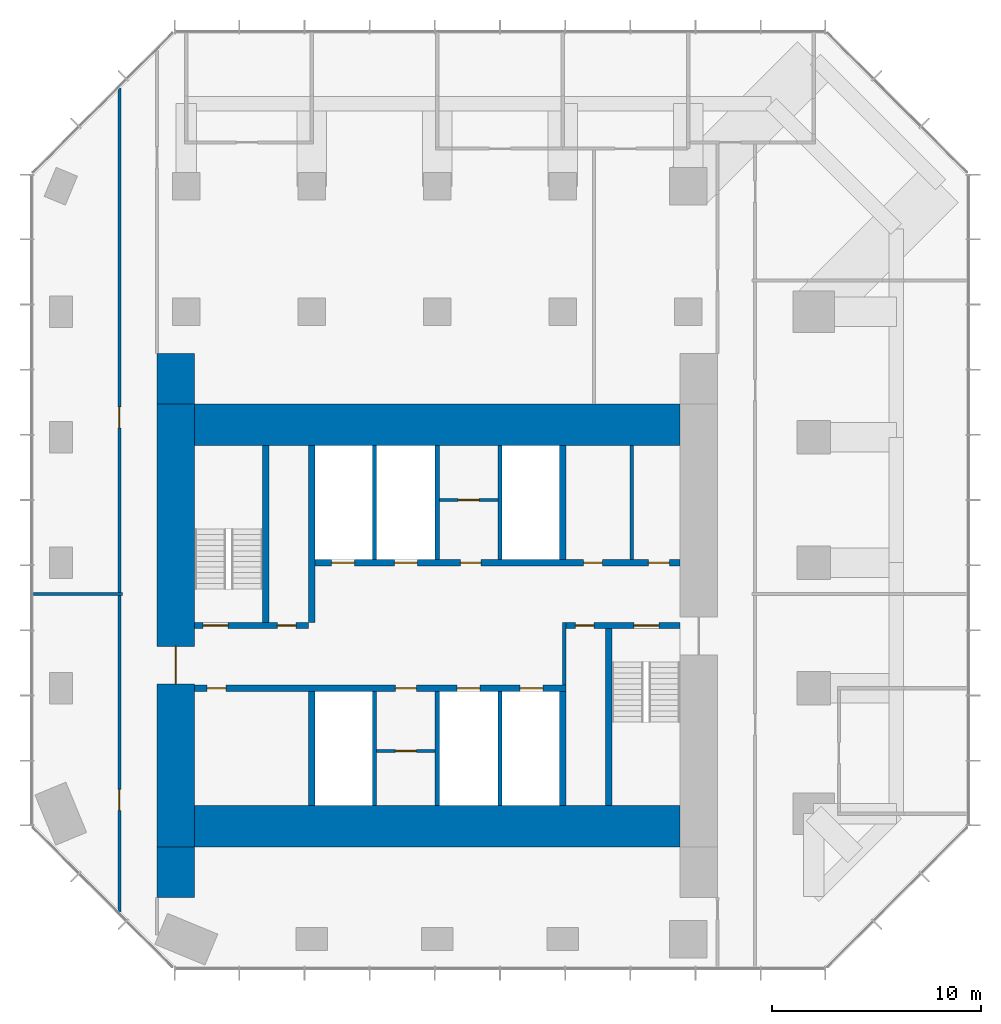
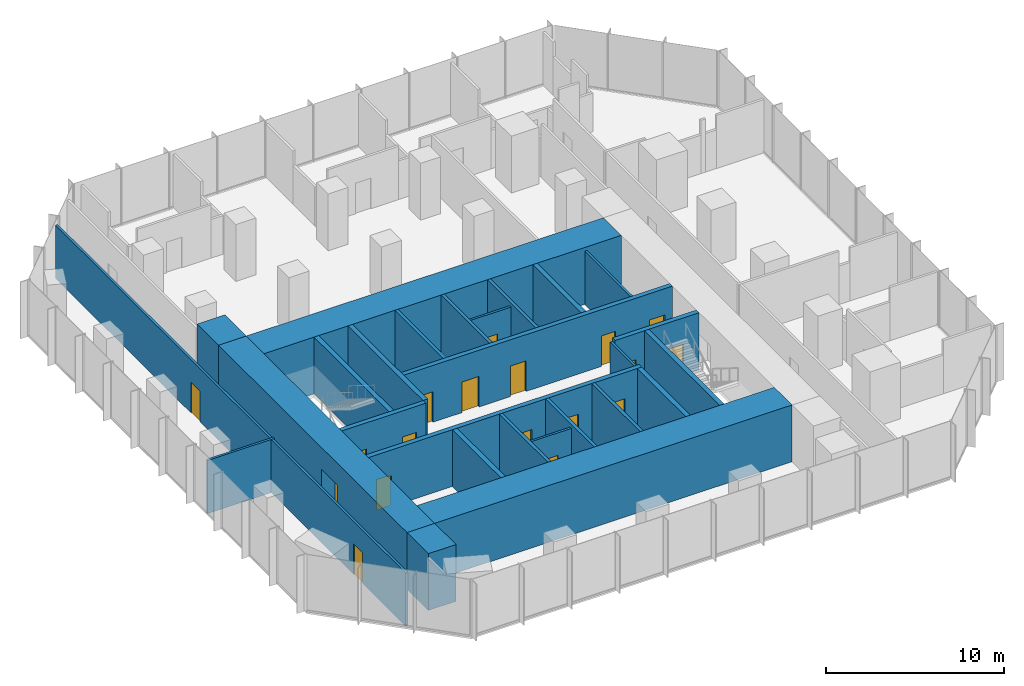
# One storey, part 8 of 11: 28 walls, 18 doors, 18 openings.
"""IFC4 building model written with IfcOpenShell, lengths in metres."""

from ifc_helpers import new_model, si_unit, direction, frame, frame_2d, origin, place, context, subcontext, project, spatial, rectangle, extrude, material, layer, layer_set, type_object, element, fill, save


model = new_model("IFC4")

# Units and contexts
model_context = context("Model", 3, precision=1e-05, world=origin(), true_north=direction((0.0, 1.0)))
body_context = subcontext(model_context, "Body", "Model", "MODEL_VIEW")
ifc_project = project(units=[si_unit("LENGTHUNIT", "METRE"), si_unit("AREAUNIT", "SQUARE_METRE"), si_unit("VOLUMEUNIT", "CUBIC_METRE"), si_unit("PLANEANGLEUNIT", "RADIAN"), si_unit("MASSUNIT", "GRAM", prefix="KILO")], contexts=[model_context])

# Site, building, storey
site_placement = place(None, origin())
site = spatial("IfcSite", under=ifc_project, at=site_placement, CompositionType="ELEMENT")
building_placement = place(site_placement, origin())
building = spatial("IfcBuilding", under=site, at=building_placement, Name="Highveld Stack Headquarters", CompositionType="ELEMENT")
storey_placement = place(building_placement, frame((0.0, 0.0, 177.199951171875)))
storey = spatial("IfcBuildingStorey", under=building, at=storey_placement, Name="L43", CompositionType="ELEMENT", Elevation=177.199951171875)

# Wall, opening, door
ifc_material_1 = material(Name="Concrete C60/75", Category="concrete")
ifc_layer_1 = layer(ifc_material_1, 1.800048828125)
ifc_layer_set_1 = layer_set([ifc_layer_1], Name="Concrete C60/75")
wall_type_1 = type_object("IfcWallType", Name="CORE WALL 1800 C60/75", PredefinedType="SHEAR", material=ifc_layer_set_1)
wall_1_placement = place(storey_placement, frame((-6.5, -7.60009765625, 0.0), z_axis=(0.0, 0.0, 1.0), x_axis=(0.0, 1.0, 0.0)))
wall_1 = element("IfcWall", 1, at=wall_1_placement, inside=storey, type_object=wall_type_1, Name="Core wall W L43", PredefinedType="SHEAR", context=body_context, shape_type="SweptSolid", body=[
    extrude(rectangle(XDim=21.2001953125, YDim=1.800048828125, at=frame_2d((10.60009765625, 0.0))), origin(), (0.0, 0.0, 1.0), 3.900146484375),
])
opening_1_placement = place(wall_1_placement, frame((7.800048828125, 0.0, 0.0)))
opening_1 = element("IfcOpeningElement", 2, at=opening_1_placement, cuts=wall_1, Name="Opening L43-01", PredefinedType="OPENING", context=body_context, shape_type="SweptSolid", body=[
    extrude(rectangle(XDim=1.800048828125, YDim=2.39990234375, at=frame_2d((0.89990234375, 1.199951171875))), frame((0.0, 0.909912109375, 0.0), z_axis=(0.0, -1.0, 0.0), x_axis=(1.0, 0.0, 0.0)), (0.0, 0.0, 1.0), 1.820068359375),
])
ifc_material_2 = material(Name="Steel fire door", Category="steel")
door_type_1 = type_object("IfcDoorType", Name="LOBBY FIRE DOOR D4 1800x2400", OperationType="DOUBLE_DOOR_SINGLE_SWING", PredefinedType="DOOR", material=ifc_material_2)
door_1_placement = place(opening_1_placement, origin())
door_1 = element("IfcDoor", 3, at=door_1_placement, inside=storey, type_object=door_type_1, Name="Core west door L43", OperationType="DOUBLE_DOOR_SINGLE_SWING", OverallHeight=2.39990234375, OverallWidth=1.800048828125, PredefinedType="DOOR", context=body_context, shape_type="SweptSolid", body=[
    extrude(rectangle(XDim=1.800048828125, YDim=2.39990234375, at=frame_2d((0.89990234375, 1.199951171875))), frame((0.0, 0.02490234375, 0.0), z_axis=(0.0, -1.0, 0.0), x_axis=(1.0, 0.0, 0.0)), (0.0, 0.0, 1.0), 0.050048828125),
])
fill(opening_1, door_1)

# Walls
ifc_material_3 = material(Name="Concrete C60/75", Category="concrete")
ifc_layer_2 = layer(ifc_material_3, 2.0)
ifc_layer_set_2 = layer_set([ifc_layer_2], Name="Concrete C60/75")
wall_type_2 = type_object("IfcWallType", Name="CORE WALL 2000 C60/75", PredefinedType="SHEAR", material=ifc_layer_set_2)
for number, where, z_axis, x_axis, name in (
    (4, (-5.60009765625, -6.60009765625, 0.0), (0.0, 0.0, 1.0), (1.0, 0.0, 0.0), "Core wall S L43"),
    (5, (-5.60009765625, 12.60009765625, 0.0), (0.0, 0.0, 1.0), (1.0, 0.0, 0.0), "Core wall N L43"),
):
    element("IfcWall", number, at=place(storey_placement, frame(where, z_axis=z_axis, x_axis=x_axis)), inside=storey, type_object=wall_type_2, Name=name, PredefinedType="SHEAR", context=body_context, shape_type="SweptSolid", body=[
        extrude(rectangle(XDim=23.2001953125, YDim=2.0, at=frame_2d((11.60009765625, 0.0))), origin(), (0.0, 0.0, 1.0), 3.900146484375),
    ])

# Wall, openings, doors
ifc_material_4 = material(Name="Concrete C60/75", Category="concrete")
ifc_layer_3 = layer(ifc_material_4, 0.300048828125)
ifc_layer_set_3 = layer_set([ifc_layer_3], Name="Concrete C60/75")
wall_type_3 = type_object("IfcWallType", Name="CORE WALL 300 C60/75", PredefinedType="SHEAR", material=ifc_layer_set_3)
wall_2_placement = place(storey_placement, frame((-5.60009765625, 0.0, 0.0), z_axis=(0.0, 0.0, 1.0), x_axis=(1.0, 0.0, 0.0)))
wall_2 = element("IfcWall", 6, at=wall_2_placement, inside=storey, type_object=wall_type_3, Name="Core wall I-Y0 L43", PredefinedType="SHEAR", context=body_context, shape_type="SweptSolid", body=[
    extrude(rectangle(XDim=17.75, YDim=0.300048828125, at=frame_2d((8.875, 0.0))), origin(), (0.0, 0.0, 1.0), 3.900146484375),
])
opening_2_placement = place(wall_2_placement, frame((0.60009765625, 0.0, 0.0)))
opening_2 = element("IfcOpeningElement", 7, at=opening_2_placement, cuts=wall_2, Name="Opening L43-07", PredefinedType="OPENING", context=body_context, shape_type="SweptSolid", body=[
    extrude(rectangle(XDim=0.89990234375, YDim=2.10009765625, at=frame_2d((0.449951171875, 1.050048828125))), frame((0.0, 0.159912109375, 0.0), z_axis=(0.0, -1.0, 0.0), x_axis=(1.0, 0.0, 0.0)), (0.0, 0.0, 1.0), 0.320068359375),
])
opening_3_placement = place(wall_2_placement, frame((9.60009765625, 0.0, 0.0)))
opening_3 = element("IfcOpeningElement", 8, at=opening_3_placement, cuts=wall_2, Name="Opening L43-13", PredefinedType="OPENING", context=body_context, shape_type="SweptSolid", body=[
    extrude(rectangle(XDim=1.0, YDim=2.10009765625, at=frame_2d((0.5, 1.050048828125))), frame((0.0, 0.159912109375, 0.0), z_axis=(0.0, -1.0, 0.0), x_axis=(1.0, 0.0, 0.0)), (0.0, 0.0, 1.0), 0.320068359375),
])
opening_4_placement = place(wall_2_placement, frame((12.550048828125, 0.0, 0.0)))
opening_4 = element("IfcOpeningElement", 9, at=opening_4_placement, cuts=wall_2, Name="Opening LD", PredefinedType="OPENING", context=body_context, shape_type="SweptSolid", body=[
    extrude(rectangle(XDim=1.10009765625, YDim=2.10009765625, at=frame_2d((0.550048828125, 1.050048828125))), frame((0.0, 0.159912109375, 0.0), z_axis=(0.0, -1.0, 0.0), x_axis=(1.0, 0.0, 0.0)), (0.0, 0.0, 1.0), 0.320068359375),
])
opening_5_placement = place(wall_2_placement, frame((15.550048828125, 0.0, 0.0)))
opening_5 = element("IfcOpeningElement", 10, at=opening_5_placement, cuts=wall_2, Name="Opening LD", PredefinedType="OPENING", context=body_context, shape_type="SweptSolid", body=[
    extrude(rectangle(XDim=1.10009765625, YDim=2.10009765625, at=frame_2d((0.550048828125, 1.050048828125))), frame((0.0, 0.159912109375, 0.0), z_axis=(0.0, -1.0, 0.0), x_axis=(1.0, 0.0, 0.0)), (0.0, 0.0, 1.0), 0.320068359375),
])
ifc_material_5 = material(Name="Steel fire door", Category="steel")
door_type_2 = type_object("IfcDoorType", Name="CORE ROOM FIRE DOOR D14 1000x2100", OperationType="SINGLE_SWING_LEFT", PredefinedType="DOOR", material=ifc_material_5)
door_2_placement = place(opening_3_placement, origin())
door_2 = element("IfcDoor", 11, at=door_2_placement, inside=storey, type_object=door_type_2, Name="Capped B 1 door L43", OperationType="SINGLE_SWING_RIGHT", OverallHeight=2.10009765625, OverallWidth=1.0, PredefinedType="DOOR", context=body_context, shape_type="SweptSolid", body=[
    extrude(rectangle(XDim=1.0, YDim=2.10009765625, at=frame_2d((0.5, 1.050048828125))), frame((0.0, 0.02490234375, 0.0), z_axis=(0.0, -1.0, 0.0), x_axis=(1.0, 0.0, 0.0)), (0.0, 0.0, 1.0), 0.050048828125),
])
fill(opening_3, door_2)
ifc_material_6 = material(Name="Stainless steel lift landing door", Category="steel")
door_type_3 = type_object("IfcDoorType", Name="LIFT LANDING DOOR LD 1100x2100", OperationType="DOUBLE_DOOR_SLIDING", PredefinedType="USERDEFINED", material=ifc_material_6)
door_3_placement = place(opening_4_placement, origin())
door_3 = element("IfcDoor", 12, at=door_3_placement, inside=storey, type_object=door_type_3, Name="Lift landing door C1 L43", ObjectType="LIFT LANDING DOOR", OperationType="DOUBLE_DOOR_SLIDING", OverallHeight=2.10009765625, OverallWidth=1.10009765625, PredefinedType="USERDEFINED", context=body_context, shape_type="SweptSolid", body=[
    extrude(rectangle(XDim=1.10009765625, YDim=2.10009765625, at=frame_2d((0.550048828125, 1.050048828125))), frame((0.0, 0.02490234375, 0.0), z_axis=(0.0, -1.0, 0.0), x_axis=(1.0, 0.0, 0.0)), (0.0, 0.0, 1.0), 0.050048828125),
])
fill(opening_4, door_3)
door_4_placement = place(opening_5_placement, origin())
door_4 = element("IfcDoor", 13, at=door_4_placement, inside=storey, type_object=door_type_3, Name="Lift landing door C2 L43", ObjectType="LIFT LANDING DOOR", OperationType="DOUBLE_DOOR_SLIDING", OverallHeight=2.10009765625, OverallWidth=1.10009765625, PredefinedType="USERDEFINED", context=body_context, shape_type="SweptSolid", body=[
    extrude(rectangle(XDim=1.10009765625, YDim=2.10009765625, at=frame_2d((0.550048828125, 1.050048828125))), frame((0.0, 0.02490234375, 0.0), z_axis=(0.0, -1.0, 0.0), x_axis=(1.0, 0.0, 0.0)), (0.0, 0.0, 1.0), 0.050048828125),
])
fill(opening_5, door_4)
ifc_material_7 = material(Name="Timber door, painted", Category="wood")
door_type_4 = type_object("IfcDoorType", Name="WC DOOR D1 900x2100", OperationType="SINGLE_SWING_LEFT", PredefinedType="DOOR", material=ifc_material_7)
door_5_placement = place(opening_2_placement, origin())
door_5 = element("IfcDoor", 14, at=door_5_placement, inside=storey, type_object=door_type_4, Name="Female WC door L43", OperationType="SINGLE_SWING_LEFT", OverallHeight=2.10009765625, OverallWidth=0.89990234375, PredefinedType="DOOR", context=body_context, shape_type="SweptSolid", body=[
    extrude(rectangle(XDim=0.89990234375, YDim=2.10009765625, at=frame_2d((0.449951171875, 1.050048828125))), frame((0.0, 0.02490234375, 0.0), z_axis=(0.0, -1.0, 0.0), x_axis=(1.0, 0.0, 0.0)), (0.0, 0.0, 1.0), 0.050048828125),
])
fill(opening_2, door_5)

wall_3_placement = place(storey_placement, frame((-5.60009765625, 3.0, 0.0), z_axis=(0.0, 0.0, 1.0), x_axis=(1.0, 0.0, 0.0)))
wall_3 = element("IfcWall", 15, at=wall_3_placement, inside=storey, type_object=wall_type_3, Name="Core wall I-Y3W L43", PredefinedType="SHEAR", context=body_context, shape_type="SweptSolid", body=[
    extrude(rectangle(XDim=5.4501953125, YDim=0.300048828125, at=frame_2d((2.72509765625, 0.0))), origin(), (0.0, 0.0, 1.0), 3.900146484375),
])
opening_6_placement = place(wall_3_placement, frame((0.39990234375, 0.0, 0.0)))
opening_6 = element("IfcOpeningElement", 16, at=opening_6_placement, cuts=wall_3, Name="Opening L43-03", PredefinedType="OPENING", context=body_context, shape_type="SweptSolid", body=[
    extrude(rectangle(XDim=1.199951171875, YDim=2.10009765625, at=frame_2d((0.60009765625, 1.050048828125))), frame((0.0, 0.159912109375, 0.0), z_axis=(0.0, -1.0, 0.0), x_axis=(1.0, 0.0, 0.0)), (0.0, 0.0, 1.0), 0.320068359375),
])
opening_7_placement = place(wall_3_placement, frame((3.949951171875, 0.0, 0.0)))
opening_7 = element("IfcOpeningElement", 17, at=opening_7_placement, cuts=wall_3, Name="Opening L43-04", PredefinedType="OPENING", context=body_context, shape_type="SweptSolid", body=[
    extrude(rectangle(XDim=0.89990234375, YDim=2.10009765625, at=frame_2d((0.449951171875, 1.050048828125))), frame((0.0, 0.159912109375, 0.0), z_axis=(0.0, -1.0, 0.0), x_axis=(1.0, 0.0, 0.0)), (0.0, 0.0, 1.0), 0.320068359375),
])
ifc_material_8 = material(Name="Steel fire door", Category="steel")
door_type_5 = type_object("IfcDoorType", Name="RISER ACCESS DOOR D5 900x2100", OperationType="SINGLE_SWING_LEFT", PredefinedType="DOOR", material=ifc_material_8)
door_6_placement = place(opening_7_placement, origin())
door_6 = element("IfcDoor", 18, at=door_6_placement, inside=storey, type_object=door_type_5, Name="Riser R1 door L43", OperationType="SINGLE_SWING_RIGHT", OverallHeight=2.10009765625, OverallWidth=0.89990234375, PredefinedType="DOOR", context=body_context, shape_type="SweptSolid", body=[
    extrude(rectangle(XDim=0.89990234375, YDim=2.10009765625, at=frame_2d((0.449951171875, 1.050048828125))), frame((0.0, 0.02490234375, 0.0), z_axis=(0.0, -1.0, 0.0), x_axis=(1.0, 0.0, 0.0)), (0.0, 0.0, 1.0), 0.050048828125),
])
fill(opening_7, door_6)
ifc_material_9 = material(Name="Steel fire door", Category="steel")
door_type_6 = type_object("IfcDoorType", Name="STAIR FIRE DOOR D3 1200x2100", OperationType="SINGLE_SWING_LEFT", PredefinedType="DOOR", material=ifc_material_9)
door_7_placement = place(opening_6_placement, origin())
door_7 = element("IfcDoor", 19, at=door_7_placement, inside=storey, type_object=door_type_6, Name="Stair S1 door L43", OperationType="SINGLE_SWING_LEFT", OverallHeight=2.10009765625, OverallWidth=1.199951171875, PredefinedType="DOOR", context=body_context, shape_type="SweptSolid", body=[
    extrude(rectangle(XDim=1.199951171875, YDim=2.10009765625, at=frame_2d((0.60009765625, 1.050048828125))), frame((0.0, 0.02490234375, 0.0), z_axis=(0.0, -1.0, 0.0), x_axis=(1.0, 0.0, 0.0)), (0.0, 0.0, 1.0), 0.050048828125),
])
fill(opening_6, door_7)

wall_4_placement = place(storey_placement, frame((12.14990234375, 3.0, 0.0), z_axis=(0.0, 0.0, 1.0), x_axis=(1.0, 0.0, 0.0)))
wall_4 = element("IfcWall", 20, at=wall_4_placement, inside=storey, type_object=wall_type_3, Name="Core wall I-Y3E L43", PredefinedType="SHEAR", context=body_context, shape_type="SweptSolid", body=[
    extrude(rectangle(XDim=5.4501953125, YDim=0.300048828125, at=frame_2d((2.72509765625, 0.0))), origin(), (0.0, 0.0, 1.0), 3.900146484375),
])
opening_8_placement = place(wall_4_placement, frame((3.25, 0.0, 0.0)))
opening_8 = element("IfcOpeningElement", 21, at=opening_8_placement, cuts=wall_4, Name="Opening L43-05", PredefinedType="OPENING", context=body_context, shape_type="SweptSolid", body=[
    extrude(rectangle(XDim=1.199951171875, YDim=2.10009765625, at=frame_2d((0.60009765625, 1.050048828125))), frame((0.0, 0.159912109375, 0.0), z_axis=(0.0, -1.0, 0.0), x_axis=(1.0, 0.0, 0.0)), (0.0, 0.0, 1.0), 0.320068359375),
])
opening_9_placement = place(wall_4_placement, frame((0.449951171875, 0.0, 0.0)))
opening_9 = element("IfcOpeningElement", 22, at=opening_9_placement, cuts=wall_4, Name="Opening L43-06", PredefinedType="OPENING", context=body_context, shape_type="SweptSolid", body=[
    extrude(rectangle(XDim=0.89990234375, YDim=2.10009765625, at=frame_2d((0.449951171875, 1.050048828125))), frame((0.0, 0.159912109375, 0.0), z_axis=(0.0, -1.0, 0.0), x_axis=(1.0, 0.0, 0.0)), (0.0, 0.0, 1.0), 0.320068359375),
])
door_8_placement = place(opening_9_placement, origin())
door_8 = element("IfcDoor", 23, at=door_8_placement, inside=storey, type_object=door_type_5, Name="Riser R2 door L43", OperationType="SINGLE_SWING_LEFT", OverallHeight=2.10009765625, OverallWidth=0.89990234375, PredefinedType="DOOR", context=body_context, shape_type="SweptSolid", body=[
    extrude(rectangle(XDim=0.89990234375, YDim=2.10009765625, at=frame_2d((0.449951171875, 1.050048828125))), frame((0.0, 0.02490234375, 0.0), z_axis=(0.0, -1.0, 0.0), x_axis=(1.0, 0.0, 0.0)), (0.0, 0.0, 1.0), 0.050048828125),
])
fill(opening_9, door_8)
door_9_placement = place(opening_8_placement, origin())
door_9 = element("IfcDoor", 24, at=door_9_placement, inside=storey, type_object=door_type_6, Name="Stair S2 door L43", OperationType="SINGLE_SWING_RIGHT", OverallHeight=2.10009765625, OverallWidth=1.199951171875, PredefinedType="DOOR", context=body_context, shape_type="SweptSolid", body=[
    extrude(rectangle(XDim=1.199951171875, YDim=2.10009765625, at=frame_2d((0.60009765625, 1.050048828125))), frame((0.0, 0.02490234375, 0.0), z_axis=(0.0, -1.0, 0.0), x_axis=(1.0, 0.0, 0.0)), (0.0, 0.0, 1.0), 0.050048828125),
])
fill(opening_8, door_9)

wall_5_placement = place(storey_placement, frame((-0.14990234375, 6.0, 0.0), z_axis=(0.0, 0.0, 1.0), x_axis=(1.0, 0.0, 0.0)))
wall_5 = element("IfcWall", 25, at=wall_5_placement, inside=storey, type_object=wall_type_3, Name="Core wall I-Y6 L43", PredefinedType="SHEAR", context=body_context, shape_type="SweptSolid", body=[
    extrude(rectangle(XDim=17.75, YDim=0.300048828125, at=frame_2d((8.875, 0.0))), origin(), (0.0, 0.0, 1.0), 3.900146484375),
])
opening_10_placement = place(wall_5_placement, frame((13.14990234375, 0.0, 0.0)))
opening_10 = element("IfcOpeningElement", 26, at=opening_10_placement, cuts=wall_5, Name="Opening L43-08", PredefinedType="OPENING", context=body_context, shape_type="SweptSolid", body=[
    extrude(rectangle(XDim=0.89990234375, YDim=2.10009765625, at=frame_2d((0.449951171875, 1.050048828125))), frame((0.0, 0.159912109375, 0.0), z_axis=(0.0, -1.0, 0.0), x_axis=(1.0, 0.0, 0.0)), (0.0, 0.0, 1.0), 0.320068359375),
])
opening_11_placement = place(wall_5_placement, frame((16.25, 0.0, 0.0)))
opening_11 = element("IfcOpeningElement", 27, at=opening_11_placement, cuts=wall_5, Name="Opening L43-09", PredefinedType="OPENING", context=body_context, shape_type="SweptSolid", body=[
    extrude(rectangle(XDim=1.0, YDim=2.10009765625, at=frame_2d((0.5, 1.050048828125))), frame((0.0, 0.159912109375, 0.0), z_axis=(0.0, -1.0, 0.0), x_axis=(1.0, 0.0, 0.0)), (0.0, 0.0, 1.0), 0.320068359375),
])
opening_12_placement = place(wall_5_placement, frame((7.25, 0.0, 0.0)))
opening_12 = element("IfcOpeningElement", 28, at=opening_12_placement, cuts=wall_5, Name="Opening L43-11", PredefinedType="OPENING", context=body_context, shape_type="SweptSolid", body=[
    extrude(rectangle(XDim=1.0, YDim=2.10009765625, at=frame_2d((0.5, 1.050048828125))), frame((0.0, 0.159912109375, 0.0), z_axis=(0.0, -1.0, 0.0), x_axis=(1.0, 0.0, 0.0)), (0.0, 0.0, 1.0), 0.320068359375),
])
opening_13_placement = place(wall_5_placement, frame((1.10009765625, 0.0, 0.0)))
opening_13 = element("IfcOpeningElement", 29, at=opening_13_placement, cuts=wall_5, Name="Opening LD", PredefinedType="OPENING", context=body_context, shape_type="SweptSolid", body=[
    extrude(rectangle(XDim=1.10009765625, YDim=2.10009765625, at=frame_2d((0.550048828125, 1.050048828125))), frame((0.0, 0.159912109375, 0.0), z_axis=(0.0, -1.0, 0.0), x_axis=(1.0, 0.0, 0.0)), (0.0, 0.0, 1.0), 0.320068359375),
])
opening_14_placement = place(wall_5_placement, frame((4.10009765625, 0.0, 0.0)))
opening_14 = element("IfcOpeningElement", 30, at=opening_14_placement, cuts=wall_5, Name="Opening LD", PredefinedType="OPENING", context=body_context, shape_type="SweptSolid", body=[
    extrude(rectangle(XDim=1.10009765625, YDim=2.10009765625, at=frame_2d((0.550048828125, 1.050048828125))), frame((0.0, 0.159912109375, 0.0), z_axis=(0.0, -1.0, 0.0), x_axis=(1.0, 0.0, 0.0)), (0.0, 0.0, 1.0), 0.320068359375),
])
ifc_material_10 = material(Name="Timber door, painted", Category="wood")
door_type_7 = type_object("IfcDoorType", Name="ACCESSIBLE WC DOOR D2 1000x2100", OperationType="SINGLE_SWING_RIGHT", PredefinedType="DOOR", material=ifc_material_10)
door_10_placement = place(opening_11_placement, origin())
door_10 = element("IfcDoor", 31, at=door_10_placement, inside=storey, type_object=door_type_7, Name="Accessible WC door L43", OperationType="SINGLE_SWING_RIGHT", OverallHeight=2.10009765625, OverallWidth=1.0, PredefinedType="DOOR", context=body_context, shape_type="SweptSolid", body=[
    extrude(rectangle(XDim=1.0, YDim=2.10009765625, at=frame_2d((0.5, 1.050048828125))), frame((0.0, 0.02490234375, 0.0), z_axis=(0.0, -1.0, 0.0), x_axis=(1.0, 0.0, 0.0)), (0.0, 0.0, 1.0), 0.050048828125),
])
fill(opening_11, door_10)
door_11_placement = place(opening_12_placement, origin())
door_11 = element("IfcDoor", 32, at=door_11_placement, inside=storey, type_object=door_type_2, Name="Capped A 1 door L43", OperationType="SINGLE_SWING_LEFT", OverallHeight=2.10009765625, OverallWidth=1.0, PredefinedType="DOOR", context=body_context, shape_type="SweptSolid", body=[
    extrude(rectangle(XDim=1.0, YDim=2.10009765625, at=frame_2d((0.5, 1.050048828125))), frame((0.0, 0.02490234375, 0.0), z_axis=(0.0, -1.0, 0.0), x_axis=(1.0, 0.0, 0.0)), (0.0, 0.0, 1.0), 0.050048828125),
])
fill(opening_12, door_11)
door_12_placement = place(opening_13_placement, origin())
door_12 = element("IfcDoor", 33, at=door_12_placement, inside=storey, type_object=door_type_3, Name="Lift landing door FF1 L43", ObjectType="LIFT LANDING DOOR", OperationType="DOUBLE_DOOR_SLIDING", OverallHeight=2.10009765625, OverallWidth=1.10009765625, PredefinedType="USERDEFINED", context=body_context, shape_type="SweptSolid", body=[
    extrude(rectangle(XDim=1.10009765625, YDim=2.10009765625, at=frame_2d((0.550048828125, 1.050048828125))), frame((0.0, 0.02490234375, 0.0), z_axis=(0.0, -1.0, 0.0), x_axis=(1.0, 0.0, 0.0)), (0.0, 0.0, 1.0), 0.050048828125),
])
fill(opening_13, door_12)
door_13_placement = place(opening_14_placement, origin())
door_13 = element("IfcDoor", 34, at=door_13_placement, inside=storey, type_object=door_type_3, Name="Lift landing door FF2 L43", ObjectType="LIFT LANDING DOOR", OperationType="DOUBLE_DOOR_SLIDING", OverallHeight=2.10009765625, OverallWidth=1.10009765625, PredefinedType="USERDEFINED", context=body_context, shape_type="SweptSolid", body=[
    extrude(rectangle(XDim=1.10009765625, YDim=2.10009765625, at=frame_2d((0.550048828125, 1.050048828125))), frame((0.0, 0.02490234375, 0.0), z_axis=(0.0, -1.0, 0.0), x_axis=(1.0, 0.0, 0.0)), (0.0, 0.0, 1.0), 0.050048828125),
])
fill(opening_14, door_13)
door_14_placement = place(opening_10_placement, origin())
door_14 = element("IfcDoor", 35, at=door_14_placement, inside=storey, type_object=door_type_4, Name="Male WC door L43", OperationType="SINGLE_SWING_RIGHT", OverallHeight=2.10009765625, OverallWidth=0.89990234375, PredefinedType="DOOR", context=body_context, shape_type="SweptSolid", body=[
    extrude(rectangle(XDim=0.89990234375, YDim=2.10009765625, at=frame_2d((0.449951171875, 1.050048828125))), frame((0.0, 0.02490234375, 0.0), z_axis=(0.0, -1.0, 0.0), x_axis=(1.0, 0.0, 0.0)), (0.0, 0.0, 1.0), 0.050048828125),
])
fill(opening_10, door_14)

# Walls
wall_6_placement = place(storey_placement, frame((0.0, -5.60009765625, 0.0), z_axis=(0.0, 0.0, 1.0), x_axis=(0.0, 1.0, 0.0)))
element("IfcWall", 36, at=wall_6_placement, inside=storey, type_object=wall_type_3, Name="Core wall I-X0S L43", PredefinedType="SHEAR", context=body_context, shape_type="SweptSolid", body=[
    extrude(rectangle(XDim=5.4501953125, YDim=0.300048828125, at=frame_2d((2.72509765625, 0.0))), origin(), (0.0, 0.0, 1.0), 3.900146484375),
])
wall_7_placement = place(storey_placement, frame((0.0, 3.14990234375, 0.0), z_axis=(0.0, 0.0, 1.0), x_axis=(0.0, 1.0, 0.0)))
element("IfcWall", 37, at=wall_7_placement, inside=storey, type_object=wall_type_3, Name="Core wall I-X0N L43", PredefinedType="SHEAR", context=body_context, shape_type="SweptSolid", body=[
    extrude(rectangle(XDim=8.4501953125, YDim=0.300048828125, at=frame_2d((4.22509765625, 0.0))), origin(), (0.0, 0.0, 1.0), 3.900146484375),
])
for number, where, z_axis, x_axis, name in (
    (38, (12.0, -5.60009765625, 0.0), (0.0, 0.0, 1.0), (0.0, 1.0, 0.0), "Core wall I-X12S L43"),
    (39, (12.0, 6.14990234375, 0.0), (0.0, 0.0, 1.0), (0.0, 1.0, 0.0), "Core wall I-X12N L43"),
):
    element("IfcWall", number, at=place(storey_placement, frame(where, z_axis=z_axis, x_axis=x_axis)), inside=storey, type_object=wall_type_3, Name=name, PredefinedType="SHEAR", context=body_context, shape_type="SweptSolid", body=[
        extrude(rectangle(XDim=5.4501953125, YDim=0.300048828125, at=frame_2d((2.72509765625, 0.0))), origin(), (0.0, 0.0, 1.0), 3.900146484375),
    ])
for number, where, z_axis, x_axis, name in (
    (40, (-2.199951171875, 3.14990234375, 0.0), (0.0, 0.0, 1.0), (0.0, 1.0, 0.0), "Core wall I-RW L43"),
    (41, (14.199951171875, -5.60009765625, 0.0), (0.0, 0.0, 1.0), (0.0, 1.0, 0.0), "Core wall I-RE L43"),
):
    element("IfcWall", number, at=place(storey_placement, frame(where, z_axis=z_axis, x_axis=x_axis)), inside=storey, type_object=wall_type_3, Name=name, PredefinedType="SHEAR", context=body_context, shape_type="SweptSolid", body=[
        extrude(rectangle(XDim=8.4501953125, YDim=0.300048828125, at=frame_2d((4.22509765625, 0.0))), origin(), (0.0, 0.0, 1.0), 3.900146484375),
    ])
ifc_material_11 = material(Name="Concrete C60/75", Category="concrete")
ifc_layer_4 = layer(ifc_material_11, 1.800048828125)
ifc_layer_set_4 = layer_set([ifc_layer_4], Name="Concrete C60/75")
wall_type_4 = type_object("IfcWallType", Name="CORE WING WALL 1800 C60/75", PredefinedType="SHEAR", material=ifc_layer_set_4)
for number, where, z_axis, x_axis, name in (
    (42, (-6.5, -10.0, 0.0), (0.0, 0.0, 1.0), (0.0, 1.0, 0.0), "Core wing wall WS L43"),
    (43, (-6.5, 13.60009765625, 0.0), (0.0, 0.0, 1.0), (0.0, 1.0, 0.0), "Core wing wall WN L43"),
):
    element("IfcWall", number, at=place(storey_placement, frame(where, z_axis=z_axis, x_axis=x_axis)), inside=storey, type_object=wall_type_4, Name=name, PredefinedType="SHEAR", context=body_context, shape_type="SweptSolid", body=[
        extrude(rectangle(XDim=2.39990234375, YDim=1.800048828125, at=frame_2d((1.199951171875, 0.0))), origin(), (0.0, 0.0, 1.0), 3.900146484375),
    ])

# Wall, opening, door
ifc_material_12 = material(Name="Concrete blockwork, plastered", Category="masonry")
ifc_layer_5 = layer(ifc_material_12, 0.14990234375)
ifc_layer_set_5 = layer_set([ifc_layer_5], Name="Concrete blockwork, plastered")
wall_type_5 = type_object("IfcWallType", Name="FIRE PARTITION 150 BLOCKWORK", PredefinedType="PARTITIONING", material=ifc_layer_set_5)
wall_8_placement = place(storey_placement, frame((6.10009765625, 9.0, 0.0), z_axis=(0.0, 0.0, 1.0), x_axis=(1.0, 0.0, 0.0)))
wall_8 = element("IfcWall", 44, at=wall_8_placement, inside=storey, type_object=wall_type_5, Name="Core room partition L43", PredefinedType="PARTITIONING", context=body_context, shape_type="SweptSolid", body=[
    extrude(rectangle(XDim=2.7998046875, YDim=0.14990234375, at=frame_2d((1.39990234375, 0.0))), origin(), (0.0, 0.0, 1.0), 3.650146484375),
])
opening_15_placement = place(wall_8_placement, frame((0.89990234375, 0.0, 0.0)))
opening_15 = element("IfcOpeningElement", 45, at=opening_15_placement, cuts=wall_8, Name="Opening L43-10", PredefinedType="OPENING", context=body_context, shape_type="SweptSolid", body=[
    extrude(rectangle(XDim=1.0, YDim=2.10009765625, at=frame_2d((0.5, 1.050048828125))), frame((0.0, 0.0849609375, 0.0), z_axis=(0.0, -1.0, 0.0), x_axis=(1.0, 0.0, 0.0)), (0.0, 0.0, 1.0), 0.169921875),
])
door_15_placement = place(opening_15_placement, origin())
door_15 = element("IfcDoor", 46, at=door_15_placement, inside=storey, type_object=door_type_2, Name="Capped A 2 door L43", OperationType="SINGLE_SWING_LEFT", OverallHeight=2.10009765625, OverallWidth=1.0, PredefinedType="DOOR", context=body_context, shape_type="SweptSolid", body=[
    extrude(rectangle(XDim=1.0, YDim=2.10009765625, at=frame_2d((0.5, 1.050048828125))), frame((0.0, 0.02490234375, 0.0), z_axis=(0.0, -1.0, 0.0), x_axis=(1.0, 0.0, 0.0)), (0.0, 0.0, 1.0), 0.050048828125),
])
fill(opening_15, door_15)

wall_9_placement = place(storey_placement, frame((3.10009765625, -3.0, 0.0), z_axis=(0.0, 0.0, 1.0), x_axis=(1.0, 0.0, 0.0)))
wall_9 = element("IfcWall", 47, at=wall_9_placement, inside=storey, type_object=wall_type_5, Name="Core room partition L43", PredefinedType="PARTITIONING", context=body_context, shape_type="SweptSolid", body=[
    extrude(rectangle(XDim=2.7998046875, YDim=0.14990234375, at=frame_2d((1.39990234375, 0.0))), origin(), (0.0, 0.0, 1.0), 3.650146484375),
])
opening_16_placement = place(wall_9_placement, frame((0.89990234375, 0.0, 0.0)))
opening_16 = element("IfcOpeningElement", 48, at=opening_16_placement, cuts=wall_9, Name="Opening L43-12", PredefinedType="OPENING", context=body_context, shape_type="SweptSolid", body=[
    extrude(rectangle(XDim=1.0, YDim=2.10009765625, at=frame_2d((0.5, 1.050048828125))), frame((0.0, 0.0849609375, 0.0), z_axis=(0.0, -1.0, 0.0), x_axis=(1.0, 0.0, 0.0)), (0.0, 0.0, 1.0), 0.169921875),
])
door_16_placement = place(opening_16_placement, origin())
door_16 = element("IfcDoor", 49, at=door_16_placement, inside=storey, type_object=door_type_2, Name="Capped B 2 door L43", OperationType="SINGLE_SWING_LEFT", OverallHeight=2.10009765625, OverallWidth=1.0, PredefinedType="DOOR", context=body_context, shape_type="SweptSolid", body=[
    extrude(rectangle(XDim=1.0, YDim=2.10009765625, at=frame_2d((0.5, 1.050048828125))), frame((0.0, 0.02490234375, 0.0), z_axis=(0.0, -1.0, 0.0), x_axis=(1.0, 0.0, 0.0)), (0.0, 0.0, 1.0), 0.050048828125),
])
fill(opening_16, door_16)

# Walls
wall_10_placement = place(storey_placement, frame((12.074951171875, 0.14990234375, 0.0), z_axis=(0.0, 0.0, 1.0), x_axis=(0.0, 1.0, 0.0)))
element("IfcWall", 50, at=wall_10_placement, inside=storey, type_object=wall_type_5, Name="Riser R2 enclosure L43", PredefinedType="PARTITIONING", context=body_context, shape_type="SweptSolid", body=[
    extrude(rectangle(XDim=3.0, YDim=0.14990234375, at=frame_2d((1.5, 0.0))), origin(), (0.0, 0.0, 1.0), 3.650146484375),
])
ifc_material_13 = material(Name="Concrete blockwork, fair-faced", Category="masonry")
ifc_layer_6 = layer(ifc_material_13, 0.199951171875)
ifc_layer_set_6 = layer_set([ifc_layer_6], Name="Concrete blockwork, fair-faced")
wall_type_6 = type_object("IfcWallType", Name="LIFT SHAFT ENCLOSURE WALL 200 BLOCKWORK", PredefinedType="SOLIDWALL", material=ifc_layer_set_6)
for number, where, z_axis, x_axis, name in (
    (51, (3.0, 6.14990234375, 0.0), (0.0, 0.0, 1.0), (0.0, 1.0, 0.0), "Lift shaft wall L43"),
    (52, (6.0, 6.14990234375, 0.0), (0.0, 0.0, 1.0), (0.0, 1.0, 0.0), "Lift shaft wall L43"),
    (53, (9.0, 6.14990234375, 0.0), (0.0, 0.0, 1.0), (0.0, 1.0, 0.0), "Lift shaft wall L43"),
    (54, (3.0, -5.60009765625, 0.0), (0.0, 0.0, 1.0), (0.0, 1.0, 0.0), "Lift shaft wall L43"),
    (55, (6.0, -5.60009765625, 0.0), (0.0, 0.0, 1.0), (0.0, 1.0, 0.0), "Lift shaft wall L43"),
    (56, (9.0, -5.60009765625, 0.0), (0.0, 0.0, 1.0), (0.0, 1.0, 0.0), "Lift shaft wall L43"),
):
    element("IfcWall", number, at=place(storey_placement, frame(where, z_axis=z_axis, x_axis=x_axis)), inside=storey, type_object=wall_type_6, Name=name, PredefinedType="SOLIDWALL", context=body_context, shape_type="SweptSolid", body=[
        extrude(rectangle(XDim=5.4501953125, YDim=0.199951171875, at=frame_2d((2.72509765625, 0.0))), origin(), (0.0, 0.0, 1.0), 3.900146484375),
    ])
ifc_material_14 = material(Name="Gypsum plasterboard on steel studs", Category="steel")
ifc_layer_7 = layer(ifc_material_14, 0.14990234375)
ifc_layer_set_7 = layer_set([ifc_layer_7], Name="Gypsum plasterboard on steel studs")
wall_type_7 = type_object("IfcWallType", Name="PARTITION 150 PLASTERBOARD", PredefinedType="PARTITIONING", material=ifc_layer_set_7)
wall_11_placement = place(storey_placement, frame((-13.39990234375, 4.5, 0.0), z_axis=(0.0, 0.0, 1.0), x_axis=(1.0, 0.0, 0.0)))
element("IfcWall", 57, at=wall_11_placement, inside=storey, type_object=wall_type_7, Name="Partition office neighbourhood L43", PredefinedType="PARTITIONING", context=body_context, shape_type="SweptSolid", body=[
    extrude(rectangle(XDim=4.349853515625, YDim=0.14990234375, at=frame_2d((2.1748046875, 0.0))), origin(), (0.0, 0.0, 1.0), 3.650146484375),
])

# Wall, opening, door
wall_12_placement = place(storey_placement, frame((-9.199951171875, -10.68896484375, 0.0), z_axis=(0.0, 0.0, 1.0), x_axis=(0.0, 1.0, 0.0)))
wall_12 = element("IfcWall", 58, at=wall_12_placement, inside=storey, type_object=wall_type_7, Name="Partition office neighbourhood L43", PredefinedType="PARTITIONING", context=body_context, shape_type="SweptSolid", body=[
    extrude(rectangle(XDim=15.114013671875, YDim=0.14990234375, at=frame_2d((7.55712890625, 0.0))), origin(), (0.0, 0.0, 1.0), 3.650146484375),
])
opening_17_placement = place(wall_12_placement, frame((4.84912109375, 0.0, 0.0)))
opening_17 = element("IfcOpeningElement", 59, at=opening_17_placement, cuts=wall_12, Name="Opening L43-20", PredefinedType="OPENING", context=body_context, shape_type="SweptSolid", body=[
    extrude(rectangle(XDim=1.0, YDim=2.10009765625, at=frame_2d((0.5, 1.050048828125))), frame((0.0, 0.0849609375, 0.0), z_axis=(0.0, -1.0, 0.0), x_axis=(1.0, 0.0, 0.0)), (0.0, 0.0, 1.0), 0.169921875),
])
ifc_material_15 = material(Name="Timber door, oiled ash", Category="wood")
door_type_8 = type_object("IfcDoorType", Name="ROOM DOOR D6 1000x2100", OperationType="SINGLE_SWING_LEFT", PredefinedType="DOOR", material=ifc_material_15)
door_17_placement = place(opening_17_placement, origin())
door_17 = element("IfcDoor", 60, at=door_17_placement, inside=storey, type_object=door_type_8, Name="Office neighbourhood door L43", OperationType="SINGLE_SWING_LEFT", OverallHeight=2.10009765625, OverallWidth=1.0, PredefinedType="DOOR", context=body_context, shape_type="SweptSolid", body=[
    extrude(rectangle(XDim=1.0, YDim=2.10009765625, at=frame_2d((0.5, 1.050048828125))), frame((0.0, 0.02490234375, 0.0), z_axis=(0.0, -1.0, 0.0), x_axis=(1.0, 0.0, 0.0)), (0.0, 0.0, 1.0), 0.050048828125),
])
fill(opening_17, door_17)

wall_13_placement = place(storey_placement, frame((-9.199951171875, 4.574951171875, 0.0), z_axis=(0.0, 0.0, 1.0), x_axis=(0.0, 1.0, 0.0)))
wall_13 = element("IfcWall", 61, at=wall_13_placement, inside=storey, type_object=wall_type_7, Name="Partition office neighbourhood L43", PredefinedType="PARTITIONING", context=body_context, shape_type="SweptSolid", body=[
    extrude(rectangle(XDim=24.114013671875, YDim=0.14990234375, at=frame_2d((12.05712890625, 0.0))), origin(), (0.0, 0.0, 1.0), 3.650146484375),
])
opening_18_placement = place(wall_13_placement, frame((7.8740234375, 0.0, 0.0)))
opening_18 = element("IfcOpeningElement", 62, at=opening_18_placement, cuts=wall_13, Name="Opening L43-22", PredefinedType="OPENING", context=body_context, shape_type="SweptSolid", body=[
    extrude(rectangle(XDim=1.0, YDim=2.10009765625, at=frame_2d((0.5, 1.050048828125))), frame((0.0, 0.0849609375, 0.0), z_axis=(0.0, -1.0, 0.0), x_axis=(1.0, 0.0, 0.0)), (0.0, 0.0, 1.0), 0.169921875),
])
door_18_placement = place(opening_18_placement, origin())
door_18 = element("IfcDoor", 63, at=door_18_placement, inside=storey, type_object=door_type_8, Name="Office neighbourhood door L43", OperationType="SINGLE_SWING_LEFT", OverallHeight=2.10009765625, OverallWidth=1.0, PredefinedType="DOOR", context=body_context, shape_type="SweptSolid", body=[
    extrude(rectangle(XDim=1.0, YDim=2.10009765625, at=frame_2d((0.5, 1.050048828125))), frame((0.0, 0.02490234375, 0.0), z_axis=(0.0, -1.0, 0.0), x_axis=(1.0, 0.0, 0.0)), (0.0, 0.0, 1.0), 0.050048828125),
])
fill(opening_18, door_18)

# Wall
ifc_material_16 = material(Name="Concrete blockwork, tiled", Category="masonry")
ifc_layer_8 = layer(ifc_material_16, 0.14990234375)
ifc_layer_set_8 = layer_set([ifc_layer_8], Name="Concrete blockwork, tiled")
wall_type_8 = type_object("IfcWallType", Name="WC PARTITION 150", PredefinedType="PLUMBINGWALL", material=ifc_layer_set_8)
wall_14_placement = place(storey_placement, frame((15.300048828125, 6.14990234375, 0.0), z_axis=(0.0, 0.0, 1.0), x_axis=(0.0, 1.0, 0.0)))
element("IfcWall", 64, at=wall_14_placement, inside=storey, type_object=wall_type_8, Name="Toilet partition L43", PredefinedType="PLUMBINGWALL", context=body_context, shape_type="SweptSolid", body=[
    extrude(rectangle(XDim=5.4501953125, YDim=0.14990234375, at=frame_2d((2.72509765625, 0.0))), origin(), (0.0, 0.0, 1.0), 3.650146484375),
])

save(model, "model.ifc")
